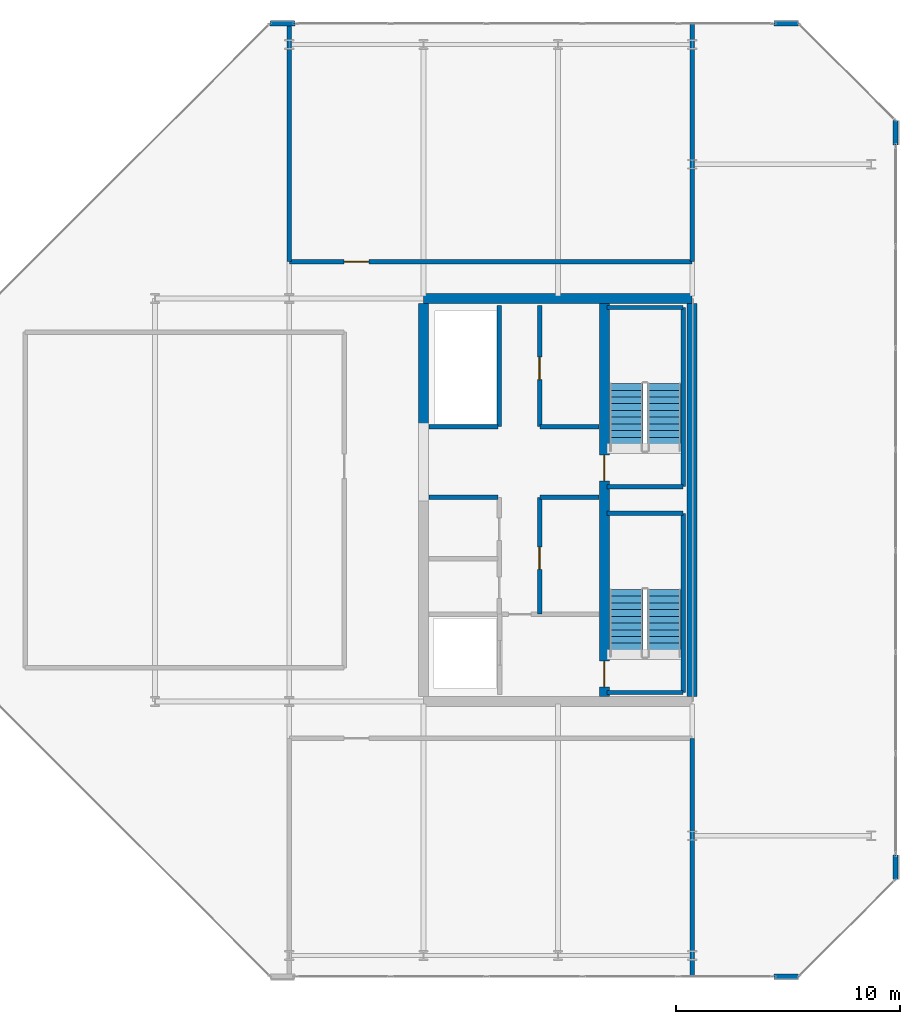
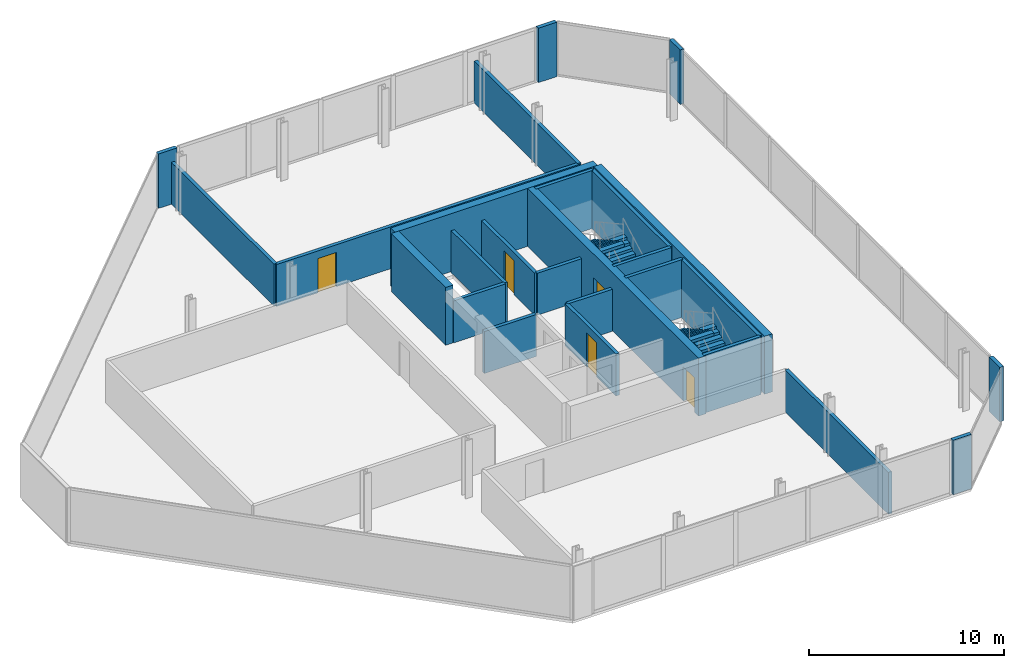
# One storey, part 14 of 16: 26 walls, 5 doors, 4 stair flights, 5 openings, 2 elements without a shape of their own.
"""IFC4 building model written with IfcOpenShell, lengths in metres."""

from ifc_helpers import new_model, si_unit, direction, frame, frame_2d, origin, place, context, subcontext, project, spatial, polyline, rectangle, outline, extrude, material, layer, layer_set, type_object, element, fill, aggregate, save


model = new_model("IFC4")

# Units and contexts
model_context = context("Model", 3, precision=1e-05, world=origin(), true_north=direction((0.0, 1.0)))
body_context = subcontext(model_context, "Body", "Model", "MODEL_VIEW")
ifc_project = project(units=[si_unit("LENGTHUNIT", "METRE"), si_unit("AREAUNIT", "SQUARE_METRE"), si_unit("VOLUMEUNIT", "CUBIC_METRE"), si_unit("PLANEANGLEUNIT", "RADIAN"), si_unit("MASSUNIT", "GRAM", prefix="KILO")], contexts=[model_context])

# Site, building, storey
site_placement = place(None, origin())
site = spatial("IfcSite", under=ifc_project, at=site_placement, CompositionType="ELEMENT")
building_placement = place(site_placement, origin())
building = spatial("IfcBuilding", under=site, at=building_placement, Name="Tanjung Sevakor Pilgrim Tower", CompositionType="ELEMENT")
storey_placement = place(building_placement, frame((0.0, 0.0, 271.590087890625)))
storey = spatial("IfcBuildingStorey", under=building, at=storey_placement, Name="L76", CompositionType="ELEMENT", Elevation=271.590087890625)

# Walls
ifc_material_1 = material(Name="Concrete C60/75", Category="concrete")
ifc_layer_1 = layer(ifc_material_1, 0.449951171875)
ifc_layer_set_1 = layer_set([ifc_layer_1], Name="WALL-CW-450")
wall_type_1 = type_object("IfcWallType", Name="WALL-CW-450", PredefinedType="SHEAR", material=ifc_layer_set_1)
wall_1_placement = place(storey_placement, frame((90.0, 42.60009765625, 0.0), z_axis=(0.0, 0.0, 1.0), x_axis=(-1.0, 0.0, 0.0)))
element("IfcWall", 1, at=wall_1_placement, inside=storey, type_object=wall_type_1, Name="L76 E Core North Shear Wall", PredefinedType="SHEAR", context=body_context, shape_type="SweptSolid", body=[
    extrude(rectangle(XDim=12.0, YDim=0.449951171875, at=frame_2d((6.0, 0.0))), origin(), (0.0, 0.0, 1.0), 3.6298828125),
])
wall_2_placement = place(storey_placement, frame((90.0, 24.824951171875, 0.0), z_axis=(0.0, 0.0, 1.0), x_axis=(0.0, 1.0, 0.0)))
element("IfcWall", 2, at=wall_2_placement, inside=storey, type_object=wall_type_1, Name="L76 E Core Outer Shear Wall", PredefinedType="SHEAR", context=body_context, shape_type="SweptSolid", body=[
    extrude(rectangle(XDim=17.550048828125, YDim=0.449951171875, at=frame_2d((8.77490234375, 0.0))), origin(), (0.0, 0.0, 1.0), 3.6298828125),
])
wall_3_placement = place(storey_placement, frame((78.0, 36.800048828125, 0.0), z_axis=(0.0, 0.0, 1.0), x_axis=(0.0, 1.0, 0.0)))
element("IfcWall", 3, at=wall_3_placement, inside=storey, type_object=wall_type_1, Name="L76 E Core Inner Shear Wall North", PredefinedType="SHEAR", context=body_context, shape_type="SweptSolid", body=[
    extrude(rectangle(XDim=5.574951171875, YDim=0.449951171875, at=frame_2d((2.78759765625, 0.0))), origin(), (0.0, 0.0, 1.0), 3.6298828125),
])

# Wall, openings, doors
wall_4_placement = place(storey_placement, frame((86.074951171875, 24.824951171875, 0.0), z_axis=(0.0, 0.0, 1.0), x_axis=(0.0, 1.0, 0.0)))
wall_4 = element("IfcWall", 4, at=wall_4_placement, inside=storey, type_object=wall_type_1, Name="L76 E Core Stair Spine Wall", PredefinedType="SHEAR", context=body_context, shape_type="SweptSolid", body=[
    extrude(rectangle(XDim=17.550048828125, YDim=0.449951171875, at=frame_2d((8.77490234375, 0.0))), origin(), (0.0, 0.0, 1.0), 3.6298828125),
])
opening_1_placement = place(wall_4_placement, frame((0.425048828125, 0.0, 0.0)))
opening_1 = element("IfcOpeningElement", 5, at=opening_1_placement, cuts=wall_4, Name="Opening ID-ST1", PredefinedType="OPENING", context=body_context, shape_type="SweptSolid", body=[
    extrude(rectangle(XDim=1.14990234375, YDim=2.14990234375, at=frame_2d((0.574951171875, 1.074951171875))), frame((0.0, 0.23486328125, 0.0), z_axis=(0.0, -1.0, 0.0), x_axis=(1.0, 0.0, 0.0)), (0.0, 0.0, 1.0), 0.469970703125),
])
opening_2_placement = place(wall_4_placement, frame((9.625, 0.0, 0.0)))
opening_2 = element("IfcOpeningElement", 6, at=opening_2_placement, cuts=wall_4, Name="Opening ID-ST1", PredefinedType="OPENING", context=body_context, shape_type="SweptSolid", body=[
    extrude(rectangle(XDim=1.14990234375, YDim=2.14990234375, at=frame_2d((0.574951171875, 1.074951171875))), frame((0.0, 0.23486328125, 0.0), z_axis=(0.0, -1.0, 0.0), x_axis=(1.0, 0.0, 0.0)), (0.0, 0.0, 1.0), 0.469970703125),
])
ifc_material_2 = material(Name="Fire-Rated Steel S355J2", Category="steel")
door_type_1 = type_object("IfcDoorType", Name="DT-FIRE-1150", OperationType="NOTDEFINED", PredefinedType="DOOR", material=ifc_material_2)
door_1_placement = place(opening_1_placement, origin())
door_1 = element("IfcDoor", 7, at=door_1_placement, inside=storey, type_object=door_type_1, Name="L76 TS-E1 Stair Fire Door", OperationType="SINGLE_SWING_LEFT", OverallHeight=2.14990234375, OverallWidth=1.14990234375, PredefinedType="DOOR", context=body_context, shape_type="SweptSolid", body=[
    extrude(rectangle(XDim=1.14990234375, YDim=2.14990234375, at=frame_2d((0.574951171875, 1.074951171875))), frame((0.0, 0.02490234375, 0.0), z_axis=(0.0, -1.0, 0.0), x_axis=(1.0, 0.0, 0.0)), (0.0, 0.0, 1.0), 0.050048828125),
])
fill(opening_1, door_1)
door_2_placement = place(opening_2_placement, origin())
door_2 = element("IfcDoor", 8, at=door_2_placement, inside=storey, type_object=door_type_1, Name="L76 TS-E2 Stair Fire Door", OperationType="SINGLE_SWING_RIGHT", OverallHeight=2.14990234375, OverallWidth=1.14990234375, PredefinedType="DOOR", context=body_context, shape_type="SweptSolid", body=[
    extrude(rectangle(XDim=1.14990234375, YDim=2.14990234375, at=frame_2d((0.574951171875, 1.074951171875))), frame((0.0, 0.02490234375, 0.0), z_axis=(0.0, -1.0, 0.0), x_axis=(1.0, 0.0, 0.0)), (0.0, 0.0, 1.0), 0.050048828125),
])
fill(opening_2, door_2)

# Walls
ifc_material_3 = material(Name="Precast concrete C45/55", Category="concrete")
ifc_layer_2 = layer(ifc_material_3, 0.219970703125)
ifc_layer_set_2 = layer_set([ifc_layer_2], Name="WT-EW-STN4")
wall_type_2 = type_object("IfcWallType", Name="WT-EW-STN4", PredefinedType="SOLIDWALL", material=ifc_layer_set_2)
for number, where, z_axis, x_axis, name in (
    (9, (93.654296875, 12.31005859375, 0.0), (0.0, 0.0, 1.0), (1.0, 0.0, 0.0), "L76 EAST Crown Pier 0-1B"),
    (10, (99.090087890625, 16.6455078125, 0.0), (0.0, 0.0, 1.0), (0.0, 1.0, 0.0), "L76 EAST Crown Pier 2-1A"),
    (11, (99.090087890625, 49.454345703125, 0.0), (0.0, 0.0, 1.0), (0.0, 1.0, 0.0), "L76 EAST Crown Pier 2-1B"),
    (12, (94.75439453125, 54.889892578125, 0.0), (0.0, 0.0, 1.0), (-1.0, 0.0, 0.0), "L76 EAST Crown Pier 4-1A"),
    (13, (72.24560546875, 54.889892578125, 0.0), (0.0, 0.0, 1.0), (-1.0, 0.0, 0.0), "L76 EAST Crown Pier 4-1B"),
):
    element("IfcWall", number, at=place(storey_placement, frame(where, z_axis=z_axis, x_axis=x_axis)), inside=storey, type_object=wall_type_2, Name=name, PredefinedType="SOLIDWALL", context=body_context, shape_type="SweptSolid", body=[
        extrude(rectangle(XDim=1.10009765625, YDim=0.219970703125, at=frame_2d((0.550048828125, 0.0))), origin(), (0.0, 0.0, 1.0), 3.409912109375),
    ])
ifc_material_4 = material(Name="Concrete C40/50", Category="concrete")
ifc_layer_3 = layer(ifc_material_4, 0.199951171875)
ifc_layer_set_3 = layer_set([ifc_layer_3], Name="WT-FIRE-200")
wall_type_3 = type_object("IfcWallType", Name="WT-FIRE-200", PredefinedType="SOLIDWALL", material=ifc_layer_set_3)
wall_5_placement = place(storey_placement, frame((86.199951171875, 25.0, 0.0), z_axis=(0.0, 0.0, 1.0), x_axis=(1.0, 0.0, 0.0)))
element("IfcWall", 14, at=wall_5_placement, inside=storey, type_object=wall_type_3, Name="L76 TS-E1 Shaft Wall 1", PredefinedType="SOLIDWALL", context=body_context, shape_type="SweptSolid", body=[
    extrude(rectangle(XDim=3.400146484375, YDim=0.199951171875, at=frame_2d((1.7001953125, 0.0))), origin(), (0.0, 0.0, 1.0), 3.6298828125),
])
wall_6_placement = place(storey_placement, frame((89.60009765625, 25.0, 0.0), z_axis=(0.0, 0.0, 1.0), x_axis=(0.0, 1.0, 0.0)))
element("IfcWall", 15, at=wall_6_placement, inside=storey, type_object=wall_type_3, Name="L76 TS-E1 Shaft Wall 2", PredefinedType="SOLIDWALL", context=body_context, shape_type="SweptSolid", body=[
    extrude(rectangle(XDim=8.0, YDim=0.199951171875, at=frame_2d((4.0, 0.0))), origin(), (0.0, 0.0, 1.0), 3.6298828125),
])
for number, where, z_axis, x_axis, name in (
    (16, (89.60009765625, 33.0, 0.0), (0.0, 0.0, 1.0), (-1.0, 0.0, 0.0), "L76 TS-E1 Shaft Wall 3"),
    (17, (86.199951171875, 34.199951171875, 0.0), (0.0, 0.0, 1.0), (1.0, 0.0, 0.0), "L76 TS-E2 Shaft Wall 1"),
):
    element("IfcWall", number, at=place(storey_placement, frame(where, z_axis=z_axis, x_axis=x_axis)), inside=storey, type_object=wall_type_3, Name=name, PredefinedType="SOLIDWALL", context=body_context, shape_type="SweptSolid", body=[
        extrude(rectangle(XDim=3.400146484375, YDim=0.199951171875, at=frame_2d((1.7001953125, 0.0))), origin(), (0.0, 0.0, 1.0), 3.6298828125),
    ])
wall_7_placement = place(storey_placement, frame((89.60009765625, 34.199951171875, 0.0), z_axis=(0.0, 0.0, 1.0), x_axis=(0.0, 1.0, 0.0)))
element("IfcWall", 18, at=wall_7_placement, inside=storey, type_object=wall_type_3, Name="L76 TS-E2 Shaft Wall 2", PredefinedType="SOLIDWALL", context=body_context, shape_type="SweptSolid", body=[
    extrude(rectangle(XDim=8.0, YDim=0.199951171875, at=frame_2d((4.0, 0.0))), origin(), (0.0, 0.0, 1.0), 3.6298828125),
])
wall_8_placement = place(storey_placement, frame((89.60009765625, 42.199951171875, 0.0), z_axis=(0.0, 0.0, 1.0), x_axis=(-1.0, 0.0, 0.0)))
element("IfcWall", 19, at=wall_8_placement, inside=storey, type_object=wall_type_3, Name="L76 TS-E2 Shaft Wall 3", PredefinedType="SOLIDWALL", context=body_context, shape_type="SweptSolid", body=[
    extrude(rectangle(XDim=3.400146484375, YDim=0.199951171875, at=frame_2d((1.7001953125, 0.0))), origin(), (0.0, 0.0, 1.0), 3.6298828125),
])
ifc_material_5 = material(Name="Concrete C40/50", Category="concrete")
ifc_layer_4 = layer(ifc_material_5, 0.199951171875)
ifc_layer_set_4 = layer_set([ifc_layer_4], Name="WT-FPRT-200")
wall_type_4 = type_object("IfcWallType", Name="WT-FPRT-200", PredefinedType="SOLIDWALL", material=ifc_layer_set_4)
wall_9_placement = place(storey_placement, frame((83.199951171875, 33.719970703125, 0.0), z_axis=(0.0, 0.0, 1.0), x_axis=(1.0, 0.0, 0.0)))
element("IfcWall", 20, at=wall_9_placement, inside=storey, type_object=wall_type_4, Name="L76 Partition IW-L76-003", PredefinedType="SOLIDWALL", context=body_context, shape_type="SweptSolid", body=[
    extrude(rectangle(XDim=2.630126953125, YDim=0.199951171875, at=frame_2d((1.31494140625, 0.0))), origin(), (0.0, 0.0, 1.0), 2.6298828125),
])

# Wall, opening, door
wall_10_placement = place(storey_placement, frame((83.179931640625, 28.5, 0.0), z_axis=(0.0, 0.0, 1.0), x_axis=(0.0, 1.0, 0.0)))
wall_10 = element("IfcWall", 21, at=wall_10_placement, inside=storey, type_object=wall_type_4, Name="L76 Partition IW-L76-004", PredefinedType="SOLIDWALL", context=body_context, shape_type="SweptSolid", body=[
    extrude(rectangle(XDim=5.219970703125, YDim=0.199951171875, at=frame_2d((2.60986328125, 0.0))), origin(), (0.0, 0.0, 1.0), 2.6298828125),
])
opening_3_placement = place(wall_10_placement, frame((2.0, 0.0, 0.0)))
opening_3 = element("IfcOpeningElement", 22, at=opening_3_placement, cuts=wall_10, Name="Opening ID-FD1", PredefinedType="OPENING", context=body_context, shape_type="SweptSolid", body=[
    extrude(rectangle(XDim=1.0, YDim=2.14990234375, at=frame_2d((0.5, 1.074951171875))), frame((0.0, 0.10986328125, 0.0), z_axis=(0.0, -1.0, 0.0), x_axis=(1.0, 0.0, 0.0)), (0.0, 0.0, 1.0), 0.219970703125),
])
ifc_material_6 = material(Name="Fire-Rated Steel S355J2", Category="steel")
door_type_2 = type_object("IfcDoorType", Name="DT-FIRE-1000", OperationType="NOTDEFINED", PredefinedType="DOOR", material=ifc_material_6)
door_3_placement = place(opening_3_placement, origin())
door_3 = element("IfcDoor", 23, at=door_3_placement, inside=storey, type_object=door_type_2, Name="L76 Core Plant Door", OperationType="SINGLE_SWING_RIGHT", OverallHeight=2.14990234375, OverallWidth=1.0, PredefinedType="DOOR", context=body_context, shape_type="SweptSolid", body=[
    extrude(rectangle(XDim=1.0, YDim=2.14990234375, at=frame_2d((0.5, 1.074951171875))), frame((0.0, 0.02490234375, 0.0), z_axis=(0.0, -1.0, 0.0), x_axis=(1.0, 0.0, 0.0)), (0.0, 0.0, 1.0), 0.050048828125),
])
fill(opening_3, door_3)

# Walls
wall_11_placement = place(storey_placement, frame((78.2451171875, 33.719970703125, 0.0), z_axis=(0.0, 0.0, 1.0), x_axis=(1.0, 0.0, 0.0)))
element("IfcWall", 24, at=wall_11_placement, inside=storey, type_object=wall_type_4, Name="L76 Partition IW-L76-006", PredefinedType="SOLIDWALL", context=body_context, shape_type="SweptSolid", body=[
    extrude(rectangle(XDim=3.074951171875, YDim=0.199951171875, at=frame_2d((1.53759765625, 0.0))), origin(), (0.0, 0.0, 1.0), 2.6298828125),
])
wall_12_placement = place(storey_placement, frame((83.199951171875, 36.8798828125, 0.0), z_axis=(0.0, 0.0, 1.0), x_axis=(1.0, 0.0, 0.0)))
element("IfcWall", 25, at=wall_12_placement, inside=storey, type_object=wall_type_4, Name="L76 Partition IW-L76-008", PredefinedType="SOLIDWALL", context=body_context, shape_type="SweptSolid", body=[
    extrude(rectangle(XDim=2.630126953125, YDim=0.199951171875, at=frame_2d((1.31494140625, 0.0))), origin(), (0.0, 0.0, 1.0), 2.6298828125),
])

# Wall, opening, door
wall_13_placement = place(storey_placement, frame((83.179931640625, 36.8798828125, 0.0), z_axis=(0.0, 0.0, 1.0), x_axis=(0.0, 1.0, 0.0)))
wall_13 = element("IfcWall", 26, at=wall_13_placement, inside=storey, type_object=wall_type_4, Name="L76 Partition IW-L76-009", PredefinedType="SOLIDWALL", context=body_context, shape_type="SweptSolid", body=[
    extrude(rectangle(XDim=5.420166015625, YDim=0.199951171875, at=frame_2d((2.7099609375, 0.0))), origin(), (0.0, 0.0, 1.0), 2.6298828125),
])
opening_4_placement = place(wall_13_placement, frame((2.10009765625, 0.0, 0.0)))
opening_4 = element("IfcOpeningElement", 27, at=opening_4_placement, cuts=wall_13, Name="Opening ID-FD1", PredefinedType="OPENING", context=body_context, shape_type="SweptSolid", body=[
    extrude(rectangle(XDim=1.0, YDim=2.14990234375, at=frame_2d((0.5, 1.074951171875))), frame((0.0, 0.10986328125, 0.0), z_axis=(0.0, -1.0, 0.0), x_axis=(1.0, 0.0, 0.0)), (0.0, 0.0, 1.0), 0.219970703125),
])
door_4_placement = place(opening_4_placement, origin())
door_4 = element("IfcDoor", 28, at=door_4_placement, inside=storey, type_object=door_type_2, Name="L76 Core Switchroom Door", OperationType="SINGLE_SWING_LEFT", OverallHeight=2.14990234375, OverallWidth=1.0, PredefinedType="DOOR", context=body_context, shape_type="SweptSolid", body=[
    extrude(rectangle(XDim=1.0, YDim=2.14990234375, at=frame_2d((0.5, 1.074951171875))), frame((0.0, 0.02490234375, 0.0), z_axis=(0.0, -1.0, 0.0), x_axis=(1.0, 0.0, 0.0)), (0.0, 0.0, 1.0), 0.050048828125),
])
fill(opening_4, door_4)

# Walls
wall_14_placement = place(storey_placement, frame((78.2451171875, 36.8798828125, 0.0), z_axis=(0.0, 0.0, 1.0), x_axis=(1.0, 0.0, 0.0)))
element("IfcWall", 29, at=wall_14_placement, inside=storey, type_object=wall_type_4, Name="L76 Partition IW-L76-010", PredefinedType="SOLIDWALL", context=body_context, shape_type="SweptSolid", body=[
    extrude(rectangle(XDim=3.074951171875, YDim=0.199951171875, at=frame_2d((1.53759765625, 0.0))), origin(), (0.0, 0.0, 1.0), 2.6298828125),
])
wall_15_placement = place(storey_placement, frame((81.3798828125, 36.8798828125, 0.0), z_axis=(0.0, 0.0, 1.0), x_axis=(0.0, 1.0, 0.0)))
element("IfcWall", 30, at=wall_15_placement, inside=storey, type_object=wall_type_4, Name="L76 Partition IW-L76-011", PredefinedType="SOLIDWALL", context=body_context, shape_type="SweptSolid", body=[
    extrude(rectangle(XDim=5.420166015625, YDim=0.199951171875, at=frame_2d((2.7099609375, 0.0))), origin(), (0.0, 0.0, 1.0), 2.6298828125),
])
wall_16_placement = place(storey_placement, frame((90.0, 12.340087890625, 0.0), z_axis=(0.0, 0.0, 1.0), x_axis=(0.0, 1.0, 0.0)))
element("IfcWall", 31, at=wall_16_placement, inside=storey, type_object=wall_type_4, Name="L76 Partition IW-L76-018", PredefinedType="SOLIDWALL", context=body_context, shape_type="SweptSolid", body=[
    extrude(rectangle(XDim=10.60986328125, YDim=0.199951171875, at=frame_2d((5.304931640625, 0.0))), origin(), (0.0, 0.0, 1.0), 2.6298828125),
])

# Wall, opening, door
wall_17_placement = place(storey_placement, frame((72.0, 44.25, 0.0), z_axis=(0.0, 0.0, 1.0), x_axis=(1.0, 0.0, 0.0)))
wall_17 = element("IfcWall", 32, at=wall_17_placement, inside=storey, type_object=wall_type_4, Name="L76 Partition IW-L76-019", PredefinedType="SOLIDWALL", context=body_context, shape_type="SweptSolid", body=[
    extrude(rectangle(XDim=18.0, YDim=0.199951171875, at=frame_2d((9.0, 0.0))), origin(), (0.0, 0.0, 1.0), 2.6298828125),
])
opening_5_placement = place(wall_17_placement, frame((2.449951171875, 0.0, 0.0)))
opening_5 = element("IfcOpeningElement", 33, at=opening_5_placement, cuts=wall_17, Name="Opening ID-FD0", PredefinedType="OPENING", context=body_context, shape_type="SweptSolid", body=[
    extrude(rectangle(XDim=1.10009765625, YDim=2.14990234375, at=frame_2d((0.550048828125, 1.074951171875))), frame((0.0, 0.10986328125, 0.0), z_axis=(0.0, -1.0, 0.0), x_axis=(1.0, 0.0, 0.0)), (0.0, 0.0, 1.0), 0.219970703125),
])
ifc_material_7 = material(Name="Fire-Rated Steel S355J2", Category="steel")
door_type_3 = type_object("IfcDoorType", Name="DT-FIRE-1100", OperationType="NOTDEFINED", PredefinedType="DOOR", material=ifc_material_7)
door_5_placement = place(opening_5_placement, origin())
door_5 = element("IfcDoor", 34, at=door_5_placement, inside=storey, type_object=door_type_3, Name="L76 North Switchroom Door", OperationType="SINGLE_SWING_RIGHT", OverallHeight=2.14990234375, OverallWidth=1.10009765625, PredefinedType="DOOR", context=body_context, shape_type="SweptSolid", body=[
    extrude(rectangle(XDim=1.10009765625, YDim=2.14990234375, at=frame_2d((0.550048828125, 1.074951171875))), frame((0.0, 0.02490234375, 0.0), z_axis=(0.0, -1.0, 0.0), x_axis=(1.0, 0.0, 0.0)), (0.0, 0.0, 1.0), 0.050048828125),
])
fill(opening_5, door_5)

# Walls
for number, where, z_axis, x_axis, name in (
    (35, (72.0, 44.25, 0.0), (0.0, 0.0, 1.0), (0.0, 1.0, 0.0), "L76 Partition IW-L76-020"),
    (36, (90.0, 44.25, 0.0), (0.0, 0.0, 1.0), (0.0, 1.0, 0.0), "L76 Partition IW-L76-021"),
):
    element("IfcWall", number, at=place(storey_placement, frame(where, z_axis=z_axis, x_axis=x_axis)), inside=storey, type_object=wall_type_4, Name=name, PredefinedType="SOLIDWALL", context=body_context, shape_type="SweptSolid", body=[
        extrude(rectangle(XDim=10.610107421875, YDim=0.199951171875, at=frame_2d((5.30517578125, 0.0))), origin(), (0.0, 0.0, 1.0), 2.6298828125),
    ])

# Stair, stair flights
ifc_material_8 = material(Name="Concrete C40/50", Category="concrete")
stair_type = type_object("IfcStairType", Name="STAIR-ST-CR150", PredefinedType="HALF_TURN_STAIR", material=ifc_material_8)
stair_1_placement = place(storey_placement, origin())
stair_1 = element("IfcStair", 37, at=stair_1_placement, inside=storey, type_object=stair_type, Name="L76 East Core Exit Stair 1", PredefinedType="HALF_TURN_STAIR")
ifc_material_9 = material(Name="Concrete C40/50", Category="concrete")
stair_flight_type = type_object("IfcStairFlightType", Name="FLIGHT-ST-CR150", PredefinedType="STRAIGHT", material=ifc_material_9)
stair_flight_1_placement = place(storey_placement, frame((88.75, 26.60009765625, 0.0), z_axis=(0.0, 0.0, 1.0), x_axis=(0.0, 1.0, 0.0)))
stair_flight_1 = element("IfcStairFlight", 38, at=stair_flight_1_placement, type_object=stair_flight_type, Name="TS-E1 flight 1", NumberOfRisers=11, NumberOfTreads=10, PredefinedType="STRAIGHT", RiserHeight=0.165, TreadLength=0.3, context=body_context, shape_type="SweptSolid", body=[
    extrude(outline(polyline([(0.0, 0.0), (0.0, 0.1650390625), (0.300048828125, 0.1650390625), (0.300048828125, 0.330078125), (0.60009765625, 0.330078125), (0.60009765625, 0.4951171875), (0.89990234375, 0.4951171875), (0.89990234375, 0.659912109375), (1.199951171875, 0.659912109375), (1.199951171875, 0.824951171875), (1.5, 0.824951171875), (1.5, 0.989990234375), (1.800048828125, 0.989990234375), (1.800048828125, 1.155029296875), (2.10009765625, 1.155029296875), (2.10009765625, 1.320068359375), (2.39990234375, 1.320068359375), (2.39990234375, 1.485107421875), (2.699951171875, 1.485107421875), (2.699951171875, 1.64990234375), (3.0, 1.64990234375), (3.0, 1.81494140625), (3.0, 1.467529296875), (0.331787109375, 0.0), (0.0, 0.0)])), frame((0.0, 0.75, 0.0), z_axis=(0.0, -1.0, 0.0), x_axis=(1.0, 0.0, 0.0)), (0.0, 0.0, 1.0), 1.5),
])
stair_flight_2_placement = place(storey_placement, frame((87.050048828125, 29.60009765625, 1.81494140625), z_axis=(0.0, 0.0, 1.0), x_axis=(0.0, -1.0, 0.0)))
stair_flight_2 = element("IfcStairFlight", 39, at=stair_flight_2_placement, type_object=stair_flight_type, Name="TS-E1 flight 2", NumberOfRisers=11, NumberOfTreads=10, PredefinedType="STRAIGHT", RiserHeight=0.165, TreadLength=0.3, context=body_context, shape_type="SweptSolid", body=[
    extrude(outline(polyline([(0.0, 0.0), (0.0, 0.1650390625), (0.300048828125, 0.1650390625), (0.300048828125, 0.330078125), (0.60009765625, 0.330078125), (0.60009765625, 0.4951171875), (0.89990234375, 0.4951171875), (0.89990234375, 0.659912109375), (1.199951171875, 0.659912109375), (1.199951171875, 0.824951171875), (1.5, 0.824951171875), (1.5, 0.989990234375), (1.800048828125, 0.989990234375), (1.800048828125, 1.155029296875), (2.10009765625, 1.155029296875), (2.10009765625, 1.320068359375), (2.39990234375, 1.320068359375), (2.39990234375, 1.485107421875), (2.699951171875, 1.485107421875), (2.699951171875, 1.64990234375), (3.0, 1.64990234375), (3.0, 1.81494140625), (3.0, 1.467529296875), (0.331787109375, 0.0), (0.0, 0.0)])), frame((0.0, 0.75, 0.0), z_axis=(0.0, -1.0, 0.0), x_axis=(1.0, 0.0, 0.0)), (0.0, 0.0, 1.0), 1.5),
])
aggregate(stair_1, [stair_flight_1, stair_flight_2])

stair_2_placement = place(storey_placement, origin())
stair_2 = element("IfcStair", 40, at=stair_2_placement, inside=storey, type_object=stair_type, Name="L76 East Core Exit Stair 2", PredefinedType="HALF_TURN_STAIR")
stair_flight_3_placement = place(storey_placement, frame((88.75, 35.800048828125, 0.0), z_axis=(0.0, 0.0, 1.0), x_axis=(0.0, 1.0, 0.0)))
stair_flight_3 = element("IfcStairFlight", 41, at=stair_flight_3_placement, type_object=stair_flight_type, Name="TS-E2 flight 1", NumberOfRisers=11, NumberOfTreads=10, PredefinedType="STRAIGHT", RiserHeight=0.165, TreadLength=0.3, context=body_context, shape_type="SweptSolid", body=[
    extrude(outline(polyline([(0.0, 0.0), (0.0, 0.1650390625), (0.300048828125, 0.1650390625), (0.300048828125, 0.330078125), (0.60009765625, 0.330078125), (0.60009765625, 0.4951171875), (0.89990234375, 0.4951171875), (0.89990234375, 0.659912109375), (1.199951171875, 0.659912109375), (1.199951171875, 0.824951171875), (1.5, 0.824951171875), (1.5, 0.989990234375), (1.800048828125, 0.989990234375), (1.800048828125, 1.155029296875), (2.10009765625, 1.155029296875), (2.10009765625, 1.320068359375), (2.39990234375, 1.320068359375), (2.39990234375, 1.485107421875), (2.699951171875, 1.485107421875), (2.699951171875, 1.64990234375), (3.0, 1.64990234375), (3.0, 1.81494140625), (3.0, 1.467529296875), (0.331787109375, 0.0), (0.0, 0.0)])), frame((0.0, 0.75, 0.0), z_axis=(0.0, -1.0, 0.0), x_axis=(1.0, 0.0, 0.0)), (0.0, 0.0, 1.0), 1.5),
])
stair_flight_4_placement = place(storey_placement, frame((87.050048828125, 38.800048828125, 1.81494140625), z_axis=(0.0, 0.0, 1.0), x_axis=(0.0, -1.0, 0.0)))
stair_flight_4 = element("IfcStairFlight", 42, at=stair_flight_4_placement, type_object=stair_flight_type, Name="TS-E2 flight 2", NumberOfRisers=11, NumberOfTreads=10, PredefinedType="STRAIGHT", RiserHeight=0.165, TreadLength=0.3, context=body_context, shape_type="SweptSolid", body=[
    extrude(outline(polyline([(0.0, 0.0), (0.0, 0.1650390625), (0.300048828125, 0.1650390625), (0.300048828125, 0.330078125), (0.60009765625, 0.330078125), (0.60009765625, 0.4951171875), (0.89990234375, 0.4951171875), (0.89990234375, 0.659912109375), (1.199951171875, 0.659912109375), (1.199951171875, 0.824951171875), (1.5, 0.824951171875), (1.5, 0.989990234375), (1.800048828125, 0.989990234375), (1.800048828125, 1.155029296875), (2.10009765625, 1.155029296875), (2.10009765625, 1.320068359375), (2.39990234375, 1.320068359375), (2.39990234375, 1.485107421875), (2.699951171875, 1.485107421875), (2.699951171875, 1.64990234375), (3.0, 1.64990234375), (3.0, 1.81494140625), (3.0, 1.467529296875), (0.331787109375, 0.0), (0.0, 0.0)])), frame((0.0, 0.75, 0.0), z_axis=(0.0, -1.0, 0.0), x_axis=(1.0, 0.0, 0.0)), (0.0, 0.0, 1.0), 1.5),
])
aggregate(stair_2, [stair_flight_3, stair_flight_4])

save(model, "model.ifc")
